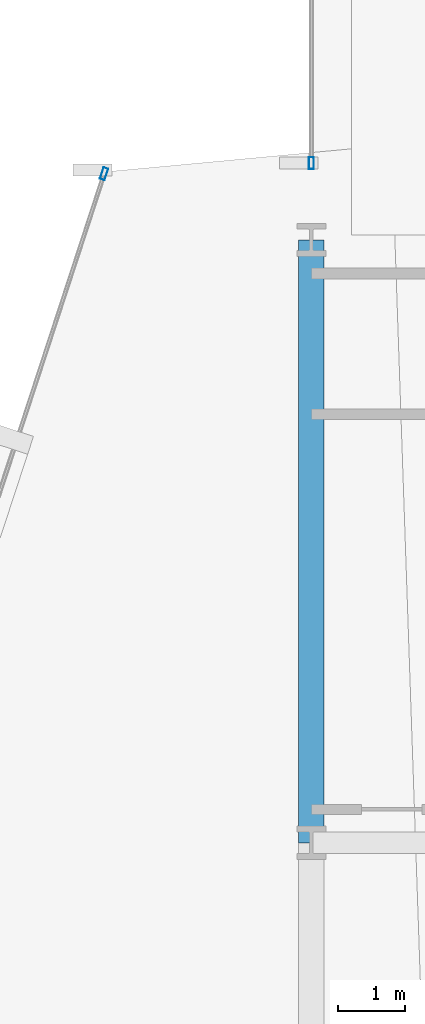
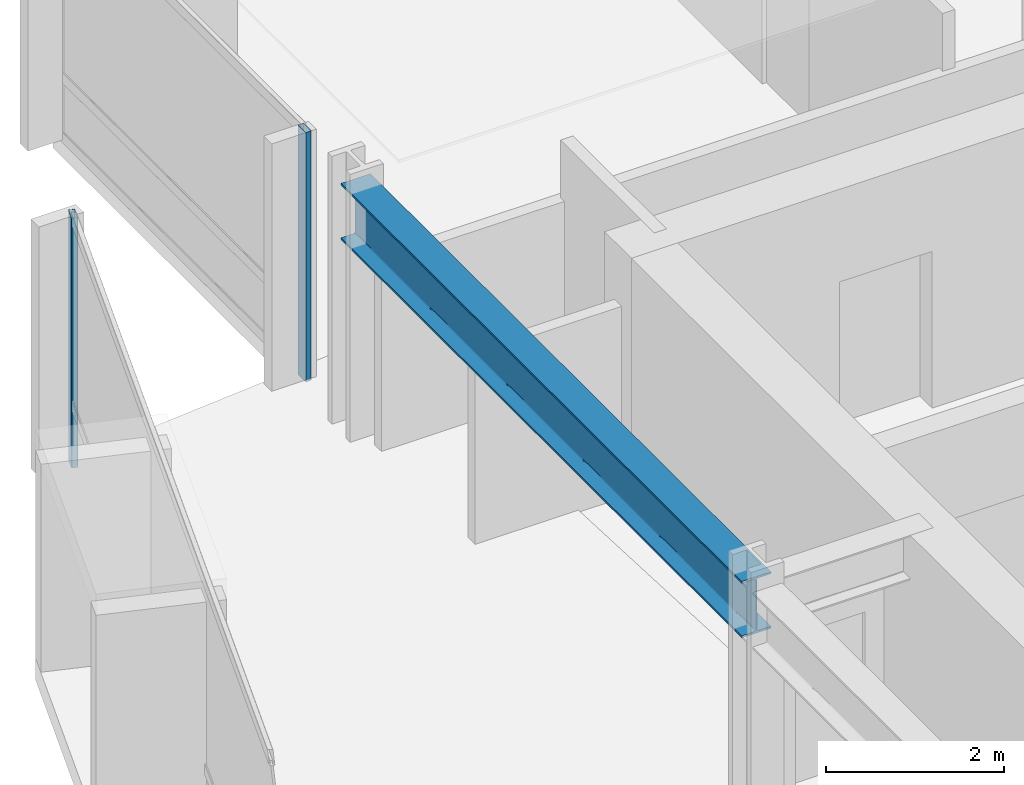
# One storey, part 19 of 34: 2 members, 1 beam, 2 elements without a shape of their own.
"""IFC4 building model written with IfcOpenShell, lengths in metres."""

from ifc_helpers import new_model, si_unit, direction, frame, origin, origin_2d, place, context, subcontext, project, spatial, hollow_rectangle, i_section, extrude, material, layer, layer_set, material_profile, profile_set, type_object, element, aggregate, save


model = new_model("IFC4")

# Units and contexts
model_context = context("Model", 3, precision=1e-05, world=origin(), true_north=direction((0.0, 1.0)))
body_context = subcontext(model_context, "Body", "Model", "MODEL_VIEW")
ifc_project = project(units=[si_unit("LENGTHUNIT", "METRE"), si_unit("AREAUNIT", "SQUARE_METRE"), si_unit("VOLUMEUNIT", "CUBIC_METRE"), si_unit("PLANEANGLEUNIT", "RADIAN"), si_unit("MASSUNIT", "GRAM", prefix="KILO")], contexts=[model_context])

# Site, building, storey
site_placement = place(None, origin())
site = spatial("IfcSite", under=ifc_project, at=site_placement, CompositionType="ELEMENT")
building_placement = place(site_placement, origin())
building = spatial("IfcBuilding", under=site, at=building_placement, Name="Solvaryn Broadcast Tower", CompositionType="ELEMENT")
storey_placement = place(building_placement, frame((0.0, 0.0, 50.800048828125)))
storey = spatial("IfcBuildingStorey", under=building, at=storey_placement, Name="L11", CompositionType="ELEMENT", Elevation=50.800048828125)

# Beam
ifc_material_1 = material(Name="Steel ASTM A992 Grade 50", Category="steel")
ifc_material_profile_1 = material_profile(ifc_material_1, i_section(OverallWidth=0.381103515625, OverallDepth=0.77294921875, WebThickness=0.0166015625, FlangeThickness=0.027099609375, FilletRadius=0.01806640625, at=origin_2d()))
ifc_profile_set_1 = profile_set([ifc_material_profile_1], Name="Steel ASTM A992 Grade 50")
beam_type = type_object("IfcBeamType", Name="BM-SP1-W30X173", PredefinedType="USERDEFINED", material=ifc_profile_set_1)
beam_placement = place(storey_placement, frame((9.0, 36.0, 3.033447265625), z_axis=(0.0, 1.0, 0.0), x_axis=(-1.0, 0.0, 0.0)))
element("IfcBeam", 1, at=beam_placement, inside=storey, type_object=beam_type, Name="L11 Spandrel Beam Y (36-45 @ X=9)", ObjectType="SPANDREL", PredefinedType="USERDEFINED", context=body_context, shape_type="SweptSolid", body=[
    extrude(i_section(OverallWidth=0.381103515625, OverallDepth=0.77294921875, WebThickness=0.0166015625, FlangeThickness=0.027099609375, FilletRadius=0.01806640625, at=origin_2d()), origin(), (0.0, 0.0, 1.0), 9.0),
])

# Curtain wall, member
ifc_material_2 = material(Name="Aluminium and Terracotta Unitised Curtain Wall", Category="masonry")
ifc_layer = layer(ifc_material_2, 0.199951171875)
ifc_layer_set = layer_set([ifc_layer], Name="CW-SYS2-LOWMID")
curtain_wall_type = type_object("IfcCurtainWallType", Name="CW-SYS2-LOWMID", PredefinedType="NOTDEFINED", material=ifc_layer_set)
curtain_wall_1_placement = place(storey_placement, origin())
curtain_wall_1 = element("IfcCurtainWall", 2, at=curtain_wall_1_placement, inside=storey, type_object=curtain_wall_type, Name="L11 Curtain Wall DR1", PredefinedType="NOTDEFINED")
ifc_material_3 = material(Name="Anodised Aluminium 6063-T6", Category="aluminium")
ifc_material_profile_2 = material_profile(ifc_material_3, hollow_rectangle(XDim=0.074951171875, YDim=0.179931640625, WallThickness=0.00390625, InnerFilletRadius=0.00390625, OuterFilletRadius=0.008056640625, at=origin_2d()))
ifc_profile_set_2 = profile_set([ifc_material_profile_2], Name="Anodised Aluminium 6063-T6")
member_type = type_object("IfcMemberType", Name="CW-MUL-180", PredefinedType="MULLION", material=ifc_profile_set_2)
member_1_placement = place(storey_placement, frame((5.90673828125, 45.987548828125, 0.0), z_axis=(0.0, 0.0, 1.0), x_axis=(0.950215318429, -0.311594044587, 0.0)))
member_1 = element("IfcMember", 3, at=member_1_placement, type_object=member_type, Name="CWS2 mullion 1", PredefinedType="MULLION", context=body_context, shape_type="SweptSolid", body=[
    extrude(hollow_rectangle(XDim=0.074951171875, YDim=0.179931640625, WallThickness=0.00390625, InnerFilletRadius=0.00390625, OuterFilletRadius=0.008056640625, at=origin_2d()), origin(), (0.0, 0.0, 1.0), 3.419921875),
])
aggregate(curtain_wall_1, [member_1])

curtain_wall_2_placement = place(storey_placement, origin())
curtain_wall_2 = element("IfcCurtainWall", 4, at=curtain_wall_2_placement, inside=storey, type_object=curtain_wall_type, Name="L11 Curtain Wall W2", PredefinedType="NOTDEFINED")
member_2_placement = place(storey_placement, frame((9.0, 46.14599609375, 0.0), z_axis=(0.0, 0.0, 1.0), x_axis=(-1.0, 0.0, 0.0)))
member_2 = element("IfcMember", 5, at=member_2_placement, type_object=member_type, Name="CWS2 mullion 1", PredefinedType="MULLION", context=body_context, shape_type="SweptSolid", body=[
    extrude(hollow_rectangle(XDim=0.074951171875, YDim=0.179931640625, WallThickness=0.00390625, InnerFilletRadius=0.00390625, OuterFilletRadius=0.008056640625, at=origin_2d()), origin(), (0.0, 0.0, 1.0), 3.419921875),
])
aggregate(curtain_wall_2, [member_2])

save(model, "model.ifc")
